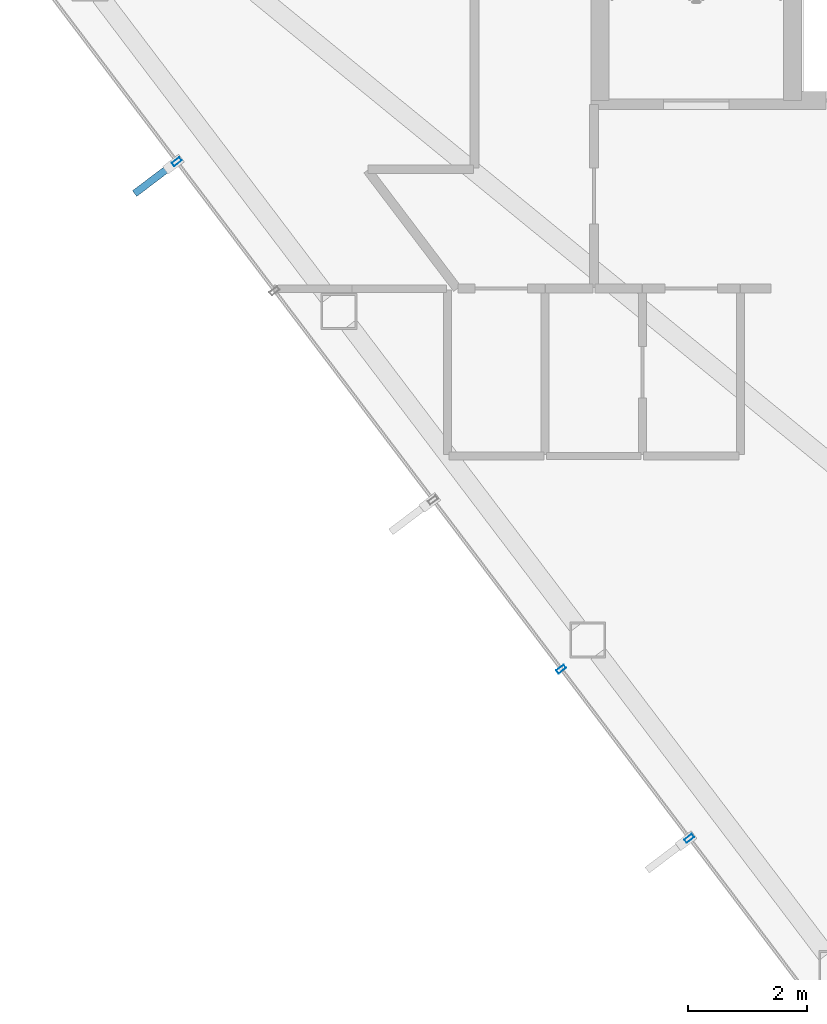
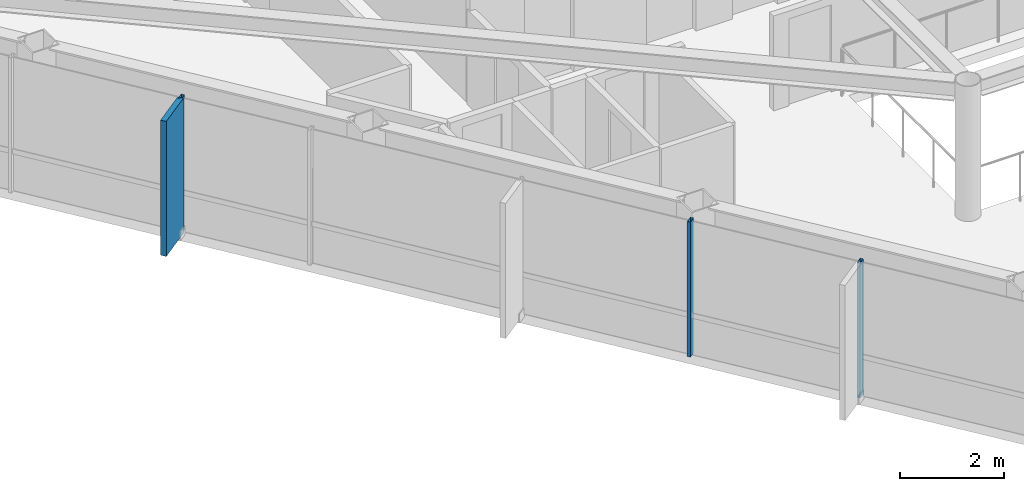
# One storey, part 2 of 28: 4 members, 1 element without a shape of its own.
"""IFC4 building model written with IfcOpenShell, lengths in metres."""

from ifc_helpers import new_model, si_unit, direction, frame, origin, origin_2d, place, context, subcontext, project, spatial, rectangle, hollow_rectangle, extrude, material, layer, layer_set, material_profile, profile_set, type_object, element, aggregate, save


model = new_model("IFC4")

# Units and contexts
model_context = context("Model", 3, precision=1e-05, world=origin(), true_north=direction((0.0, 1.0)))
body_context = subcontext(model_context, "Body", "Model", "MODEL_VIEW")
ifc_project = project(units=[si_unit("LENGTHUNIT", "METRE"), si_unit("AREAUNIT", "SQUARE_METRE"), si_unit("VOLUMEUNIT", "CUBIC_METRE"), si_unit("PLANEANGLEUNIT", "RADIAN"), si_unit("MASSUNIT", "GRAM", prefix="KILO")], contexts=[model_context])

# Site, building, storey
site_placement = place(None, origin())
site = spatial("IfcSite", under=ifc_project, at=site_placement, CompositionType="ELEMENT")
building_placement = place(site_placement, origin())
building = spatial("IfcBuilding", under=site, at=building_placement, Name="Zarrinselat Tower", CompositionType="ELEMENT")
storey_placement = place(building_placement, frame((0.0, 0.0, 222.360107421875)))
storey = spatial("IfcBuildingStorey", under=building, at=storey_placement, Name="L55", CompositionType="ELEMENT", Elevation=222.360107421875)

# Curtain wall, members
ifc_material_1 = material(Name="Extruded Aluminium Alloy EN AW-6063 T6", Category="aluminium")
ifc_layer = layer(ifc_material_1, 0.169921875)
ifc_layer_set = layer_set([ifc_layer], Name="Extruded Aluminium Alloy EN AW-6063 T6")
curtain_wall_type = type_object("IfcCurtainWallType", Name="CWS-RES", PredefinedType="NOTDEFINED", material=ifc_layer_set)
curtain_wall_placement = place(storey_placement, origin())
curtain_wall = element("IfcCurtainWall", 1, at=curtain_wall_placement, inside=storey, type_object=curtain_wall_type, Name="L55 Unitised Curtain Wall CW-L55-E03", PredefinedType="NOTDEFINED")
ifc_material_2 = material(Name="Extruded Aluminium Alloy EN AW-6063 T6", Category="aluminium")
ifc_material_profile_1 = material_profile(ifc_material_2, hollow_rectangle(XDim=0.070068359375, YDim=0.159912109375, WallThickness=0.00390625, at=origin_2d()), Name="RHS 160x70x4")
ifc_profile_set_1 = profile_set([ifc_material_profile_1], Name="Extruded Aluminium Alloy EN AW-6063 T6")
member_type_1 = type_object("IfcMemberType", Name="MEM-CW-MUL2", PredefinedType="MULLION", material=ifc_profile_set_1)
member_1_placement = place(storey_placement, frame((21.562744140625, 32.2763671875, 0.0), z_axis=(0.0, 0.0, 1.0), x_axis=(0.603859787908, -0.797090557307, 0.0)))
member_1 = element("IfcMember", 2, at=member_1_placement, type_object=member_type_1, Name="CW-L55-E03 Mullion 3", PredefinedType="MULLION", context=body_context, shape_type="SweptSolid", body=[
    extrude(hollow_rectangle(XDim=0.070068359375, YDim=0.159912109375, WallThickness=0.00390625, at=origin_2d()), origin(), (0.0, 0.0, 1.0), 3.179931640625),
])
member_2_placement = place(storey_placement, frame((27.9990234375, 23.780517578125, 0.0), z_axis=(0.0, 0.0, 1.0), x_axis=(0.603859787908, -0.797090557307, 0.0)))
member_2 = element("IfcMember", 3, at=member_2_placement, type_object=member_type_1, Name="CW-L55-E03 Mullion 6", PredefinedType="MULLION", context=body_context, shape_type="SweptSolid", body=[
    extrude(hollow_rectangle(XDim=0.070068359375, YDim=0.159912109375, WallThickness=0.00390625, at=origin_2d()), origin(), (0.0, 0.0, 1.0), 3.179931640625),
])
member_3_placement = place(storey_placement, frame((30.144287109375, 20.948486328125, 0.0), z_axis=(0.0, 0.0, 1.0), x_axis=(0.603859787908, -0.797090557307, 0.0)))
member_3 = element("IfcMember", 4, at=member_3_placement, type_object=member_type_1, Name="CW-L55-E03 Mullion 7", PredefinedType="MULLION", context=body_context, shape_type="SweptSolid", body=[
    extrude(hollow_rectangle(XDim=0.070068359375, YDim=0.159912109375, WallThickness=0.00390625, at=origin_2d()), origin(), (0.0, 0.0, 1.0), 3.179931640625),
])
ifc_material_3 = material(Name="Honed Cream Travertine Stone", Category="masonry")
ifc_material_profile_2 = material_profile(ifc_material_3, rectangle(XDim=0.1201171875, YDim=0.85009765625, at=origin_2d()), Name="FIN 850x120")
ifc_profile_set_2 = profile_set([ifc_material_profile_2], Name="Honed Cream Travertine Stone")
member_type_2 = type_object("IfcMemberType", Name="MEM-STONE-FIN", PredefinedType="USERDEFINED", material=ifc_profile_set_2)
member_4_placement = place(storey_placement, frame((21.196044921875, 31.99853515625, 0.0), z_axis=(0.0, 0.0, 1.0), x_axis=(-0.603859787908, 0.797090557307, 0.0)))
member_4 = element("IfcMember", 5, at=member_4_placement, type_object=member_type_2, Name="L55 Stone Shading Fin CW-L55-E03-03", ObjectType="FIN", PredefinedType="USERDEFINED", context=body_context, shape_type="SweptSolid", body=[
    extrude(rectangle(XDim=0.1201171875, YDim=0.85009765625, at=origin_2d()), origin(), (0.0, 0.0, 1.0), 3.179931640625),
])
aggregate(curtain_wall, [member_1, member_4, member_2, member_3])

save(model, "model.ifc")
